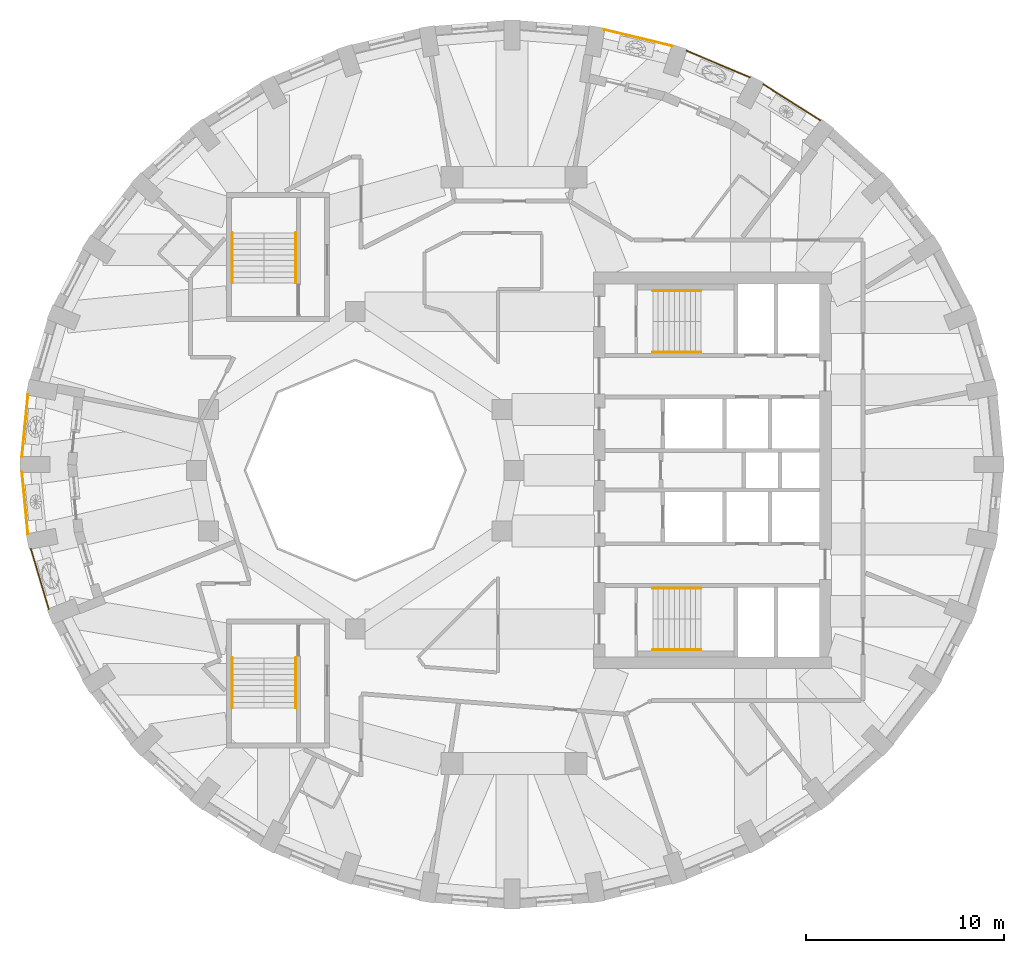
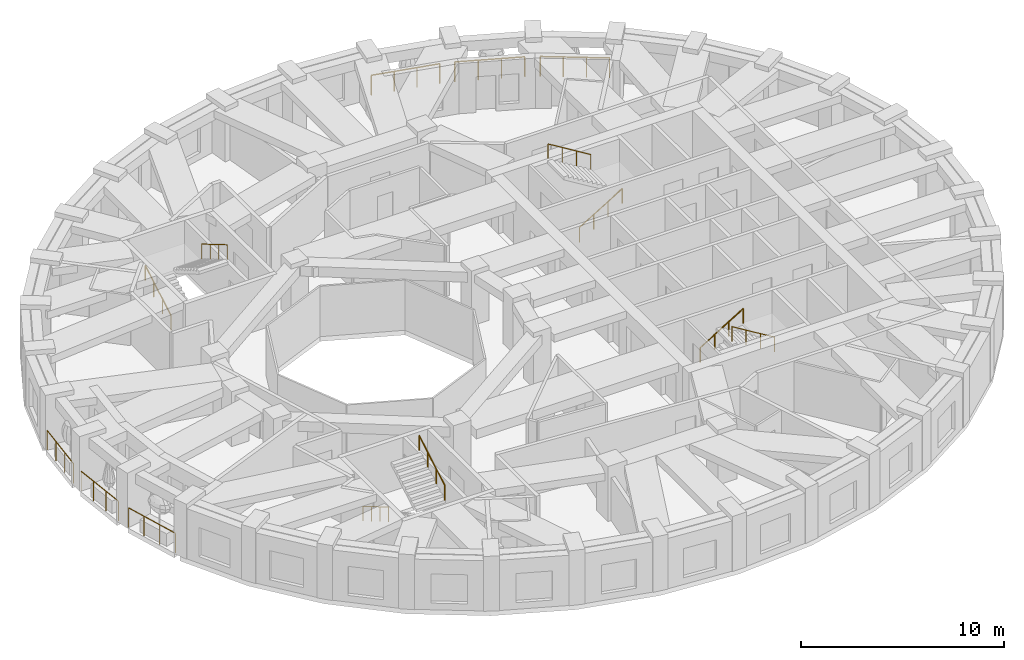
# One storey, part 10 of 12: 14 railings.
"""IFC4 building model written with IfcOpenShell, lengths in metres."""

from ifc_helpers import new_model, si_unit, direction, frame, origin, origin_2d, place, context, subcontext, project, spatial, circle, extrude, material, type_object, element, save


model = new_model("IFC4")

# Units and contexts
model_context = context("Model", 3, precision=1e-05, world=origin(), true_north=direction((0.0, 1.0)))
body_context = subcontext(model_context, "Body", "Model", "MODEL_VIEW")
ifc_project = project(units=[si_unit("LENGTHUNIT", "METRE"), si_unit("AREAUNIT", "SQUARE_METRE"), si_unit("VOLUMEUNIT", "CUBIC_METRE"), si_unit("PLANEANGLEUNIT", "RADIAN"), si_unit("MASSUNIT", "GRAM", prefix="KILO")], contexts=[model_context])

# Site, building, storey
site_placement = place(None, origin())
site = spatial("IfcSite", under=ifc_project, at=site_placement, CompositionType="ELEMENT")
building_placement = place(site_placement, origin())
building = spatial("IfcBuilding", under=site, at=building_placement, Name="Taillehof Tower", CompositionType="ELEMENT")
storey_placement = place(building_placement, frame((0.0, 0.0, 236.60009765625)))
storey = spatial("IfcBuildingStorey", under=building, at=storey_placement, Name="L67", CompositionType="ELEMENT", Elevation=236.60009765625)

# Railings
ifc_material_1 = material(Name="Stainless steel balustrade", Category="steel")
railing_type_1 = type_object("IfcRailingType", Name="Balcony guard 1200", PredefinedType="GUARDRAIL", material=ifc_material_1)
railing_1_placement = place(storey_placement, frame((-24.49853515625, 3.8115234375, 0.0)))
element("IfcRailing", 1, at=railing_1_placement, inside=storey, type_object=railing_type_1, Name="Balcony guard L67 bay 18", PredefinedType="GUARDRAIL", context=body_context, shape_type="SweptSolid", body=[
    extrude(circle(Radius=0.02392578125, at=origin_2d()), frame((0.0, 0.0, 1.17578125), z_axis=(-0.096691234516, -0.995314425279, 0.0), x_axis=(0.995314425279, -0.096691234516, 0.0)), (0.0, 0.0, 1.0), 3.14599609375),
    extrude(circle(Radius=0.02099609375, at=origin_2d()), origin(), (0.0, 0.0, 1.0), 1.15185546875),
    extrude(circle(Radius=0.02099609375, at=origin_2d()), frame((-0.101318359375, -1.043701171875, 0.0)), (0.0, 0.0, 1.0), 1.15185546875),
    extrude(circle(Radius=0.02099609375, at=origin_2d()), frame((-0.202880859375, -2.087646484375, 0.0)), (0.0, 0.0, 1.0), 1.15185546875),
    extrude(circle(Radius=0.02099609375, at=origin_2d()), frame((-0.30419921875, -3.13134765625, 0.0)), (0.0, 0.0, 1.0), 1.15185546875),
])
railing_2_placement = place(storey_placement, frame((-24.802734375, -0.080078125, 0.0)))
element("IfcRailing", 2, at=railing_2_placement, inside=storey, type_object=railing_type_1, Name="Balcony guard L67 bay 19", PredefinedType="GUARDRAIL", context=body_context, shape_type="SweptSolid", body=[
    extrude(circle(Radius=0.02392578125, at=origin_2d()), frame((0.0, 0.0, 1.17578125), z_axis=(0.096683766881, -0.995315150704, 0.0), x_axis=(0.995315150704, 0.096683766881, 0.0)), (0.0, 0.0, 1.0), 3.146240234375),
    extrude(circle(Radius=0.02099609375, at=origin_2d()), origin(), (0.0, 0.0, 1.0), 1.15185546875),
    extrude(circle(Radius=0.02099609375, at=origin_2d()), frame((0.101318359375, -1.0439453125, 0.0)), (0.0, 0.0, 1.0), 1.15185546875),
    extrude(circle(Radius=0.02099609375, at=origin_2d()), frame((0.202880859375, -2.087646484375, 0.0)), (0.0, 0.0, 1.0), 1.15185546875),
    extrude(circle(Radius=0.02099609375, at=origin_2d()), frame((0.30419921875, -3.131591796875, 0.0)), (0.0, 0.0, 1.0), 1.15185546875),
])
railing_3_placement = place(storey_placement, frame((-24.3525390625, -3.95751953125, 0.0)))
element("IfcRailing", 3, at=railing_3_placement, inside=storey, type_object=railing_type_1, Name="Balcony guard L67 bay 20", PredefinedType="GUARDRAIL", context=body_context, shape_type="SweptSolid", body=[
    extrude(circle(Radius=0.02392578125, at=origin_2d()), frame((0.0, 0.0, 1.17578125), z_axis=(0.285199702908, -0.958468116038, 0.0), x_axis=(0.958468116038, 0.285199702908, 0.0)), (0.0, 0.0, 1.0), 3.170654296875),
    extrude(circle(Radius=0.02099609375, at=origin_2d()), origin(), (0.0, 0.0, 1.0), 1.15185546875),
    extrude(circle(Radius=0.02099609375, at=origin_2d()), frame((0.301513671875, -1.012939453125, 0.0)), (0.0, 0.0, 1.0), 1.15185546875),
    extrude(circle(Radius=0.02099609375, at=origin_2d()), frame((0.602783203125, -2.026123046875, 0.0)), (0.0, 0.0, 1.0), 1.15185546875),
    extrude(circle(Radius=0.02099609375, at=origin_2d()), frame((0.904296875, -3.0390625, 0.0)), (0.0, 0.0, 1.0), 1.15185546875),
])
railing_4_placement = place(storey_placement, frame((15.452880859375, 17.637939453125, 0.0)))
element("IfcRailing", 4, at=railing_4_placement, inside=storey, type_object=railing_type_1, Name="Balcony guard L67 bay 6", PredefinedType="GUARDRAIL", context=body_context, shape_type="SweptSolid", body=[
    extrude(circle(Radius=0.02392578125, at=origin_2d()), frame((0.0, 0.0, 1.17578125), z_axis=(-0.845893321372, 0.533352124641, 0.0), x_axis=(-0.533352124641, -0.845893321372, 0.0)), (0.0, 0.0, 1.0), 3.412109375),
    extrude(circle(Radius=0.02099609375, at=origin_2d()), origin(), (0.0, 0.0, 1.0), 1.15185546875),
    extrude(circle(Radius=0.02099609375, at=origin_2d()), frame((-0.962158203125, 0.606689453125, 0.0)), (0.0, 0.0, 1.0), 1.15185546875),
    extrude(circle(Radius=0.02099609375, at=origin_2d()), frame((-1.924072265625, 1.213134765625, 0.0)), (0.0, 0.0, 1.0), 1.15185546875),
    extrude(circle(Radius=0.02099609375, at=origin_2d()), frame((-2.88623046875, 1.81982421875, 0.0)), (0.0, 0.0, 1.0), 1.15185546875),
])
railing_5_placement = place(storey_placement, frame((11.892333984375, 19.80859375, 0.0)))
element("IfcRailing", 5, at=railing_5_placement, inside=storey, type_object=railing_type_1, Name="Balcony guard L67 bay 7", PredefinedType="GUARDRAIL", context=body_context, shape_type="SweptSolid", body=[
    extrude(circle(Radius=0.02392578125, at=origin_2d()), frame((0.0, 0.0, 1.17578125), z_axis=(-0.922020278687, 0.38714158352, 0.0), x_axis=(-0.38714158352, -0.922020278687, 0.0)), (0.0, 0.0, 1.0), 3.47021484375),
    extrude(circle(Radius=0.02099609375, at=origin_2d()), origin(), (0.0, 0.0, 1.0), 1.15185546875),
    extrude(circle(Radius=0.02099609375, at=origin_2d()), frame((-1.066650390625, 0.44775390625, 0.0)), (0.0, 0.0, 1.0), 1.15185546875),
    extrude(circle(Radius=0.02099609375, at=origin_2d()), frame((-2.133056640625, 0.895751953125, 0.0)), (0.0, 0.0, 1.0), 1.15185546875),
    extrude(circle(Radius=0.02099609375, at=origin_2d()), frame((-3.19970703125, 1.343505859375, 0.0)), (0.0, 0.0, 1.0), 1.15185546875),
])
railing_6_placement = place(storey_placement, frame((7.97021484375, 21.38916015625, 0.0)))
element("IfcRailing", 6, at=railing_6_placement, inside=storey, type_object=railing_type_1, Name="Balcony guard L67 bay 8", PredefinedType="GUARDRAIL", context=body_context, shape_type="SweptSolid", body=[
    extrude(circle(Radius=0.02392578125, at=origin_2d()), frame((0.0, 0.0, 1.17578125), z_axis=(-0.972116636457, 0.234497857397, 0.0), x_axis=(-0.234497857397, -0.972116636457, 0.0)), (0.0, 0.0, 1.0), 3.5126953125),
    extrude(circle(Radius=0.02099609375, at=origin_2d()), origin(), (0.0, 0.0, 1.0), 1.15185546875),
    extrude(circle(Radius=0.02099609375, at=origin_2d()), frame((-1.13818359375, 0.274658203125, 0.0)), (0.0, 0.0, 1.0), 1.15185546875),
    extrude(circle(Radius=0.02099609375, at=origin_2d()), frame((-2.276611328125, 0.549072265625, 0.0)), (0.0, 0.0, 1.0), 1.15185546875),
    extrude(circle(Radius=0.02099609375, at=origin_2d()), frame((-3.414794921875, 0.82373046875, 0.0)), (0.0, 0.0, 1.0), 1.15185546875),
])
ifc_material_2 = material(Name="Stainless steel", Category="steel")
railing_type_2 = type_object("IfcRailingType", Name="Stair handrail 900", PredefinedType="HANDRAIL", material=ifc_material_2)
railing_7_placement = place(storey_placement, frame((7.0, 5.949951171875, 0.164794921875)))
element("IfcRailing", 7, at=railing_7_placement, inside=storey, type_object=railing_type_2, Name="Stair S1 handrail", PredefinedType="HANDRAIL", context=body_context, shape_type="SweptSolid", body=[
    extrude(circle(Radius=0.02392578125, at=origin_2d()), frame((0.0, 0.0, 0.8759765625), z_axis=(0.853258522278, 0.0, 0.521488153423), x_axis=(0.0, 1.0, 0.0)), (0.0, 0.0, 1.0), 2.847900390625),
    extrude(circle(Radius=0.02099609375, at=origin_2d()), origin(), (0.0, 0.0, 1.0), 0.851806640625),
    extrude(circle(Radius=0.02099609375, at=origin_2d()), frame((0.81005859375, 0.0, 0.4951171875)), (0.0, 0.0, 1.0), 0.851806640625),
    extrude(circle(Radius=0.02099609375, at=origin_2d()), frame((1.619873046875, 0.0, 0.989990234375)), (0.0, 0.0, 1.0), 0.851806640625),
    extrude(circle(Radius=0.02099609375, at=origin_2d()), frame((2.429931640625, 0.0, 1.485107421875)), (0.0, 0.0, 1.0), 0.851806640625),
])
railing_8_placement = place(storey_placement, frame((9.429931640625, 9.050048828125, 1.81494140625)))
element("IfcRailing", 8, at=railing_8_placement, inside=storey, type_object=railing_type_2, Name="Stair S1 handrail", PredefinedType="HANDRAIL", context=body_context, shape_type="SweptSolid", body=[
    extrude(circle(Radius=0.02392578125, at=origin_2d()), frame((0.0, 0.0, 0.8759765625), z_axis=(-0.853296667938, 0.0, 0.521425734392), x_axis=(0.0, -1.0, 0.0)), (0.0, 0.0, 1.0), 2.84765625),
    extrude(circle(Radius=0.02099609375, at=origin_2d()), origin(), (0.0, 0.0, 1.0), 0.851806640625),
    extrude(circle(Radius=0.02099609375, at=origin_2d()), frame((-0.81005859375, 0.0, 0.494873046875)), (0.0, 0.0, 1.0), 0.851806640625),
    extrude(circle(Radius=0.02099609375, at=origin_2d()), frame((-1.619873046875, 0.0, 0.989990234375)), (0.0, 0.0, 1.0), 0.851806640625),
    extrude(circle(Radius=0.02099609375, at=origin_2d()), frame((-2.429931640625, 0.0, 1.48486328125)), (0.0, 0.0, 1.0), 0.851806640625),
])
railing_9_placement = place(storey_placement, frame((7.0, -5.949951171875, 0.164794921875)))
element("IfcRailing", 9, at=railing_9_placement, inside=storey, type_object=railing_type_2, Name="Stair S2 handrail", PredefinedType="HANDRAIL", context=body_context, shape_type="SweptSolid", body=[
    extrude(circle(Radius=0.02392578125, at=origin_2d()), frame((0.0, 0.0, 0.8759765625), z_axis=(0.853258522278, 0.0, 0.521488153423), x_axis=(0.0, 1.0, 0.0)), (0.0, 0.0, 1.0), 2.847900390625),
    extrude(circle(Radius=0.02099609375, at=origin_2d()), origin(), (0.0, 0.0, 1.0), 0.851806640625),
    extrude(circle(Radius=0.02099609375, at=origin_2d()), frame((0.81005859375, 0.0, 0.4951171875)), (0.0, 0.0, 1.0), 0.851806640625),
    extrude(circle(Radius=0.02099609375, at=origin_2d()), frame((1.619873046875, 0.0, 0.989990234375)), (0.0, 0.0, 1.0), 0.851806640625),
    extrude(circle(Radius=0.02099609375, at=origin_2d()), frame((2.429931640625, 0.0, 1.485107421875)), (0.0, 0.0, 1.0), 0.851806640625),
])
railing_10_placement = place(storey_placement, frame((9.429931640625, -9.050048828125, 1.81494140625)))
element("IfcRailing", 10, at=railing_10_placement, inside=storey, type_object=railing_type_2, Name="Stair S2 handrail", PredefinedType="HANDRAIL", context=body_context, shape_type="SweptSolid", body=[
    extrude(circle(Radius=0.02392578125, at=origin_2d()), frame((0.0, 0.0, 0.8759765625), z_axis=(-0.853296667938, 0.0, 0.521425734392), x_axis=(0.0, -1.0, 0.0)), (0.0, 0.0, 1.0), 2.84765625),
    extrude(circle(Radius=0.02099609375, at=origin_2d()), origin(), (0.0, 0.0, 1.0), 0.851806640625),
    extrude(circle(Radius=0.02099609375, at=origin_2d()), frame((-0.81005859375, 0.0, 0.494873046875)), (0.0, 0.0, 1.0), 0.851806640625),
    extrude(circle(Radius=0.02099609375, at=origin_2d()), frame((-1.619873046875, 0.0, 0.989990234375)), (0.0, 0.0, 1.0), 0.851806640625),
    extrude(circle(Radius=0.02099609375, at=origin_2d()), frame((-2.429931640625, 0.0, 1.48486328125)), (0.0, 0.0, 1.0), 0.851806640625),
])
railing_11_placement = place(storey_placement, frame((-14.199951171875, 9.449951171875, 0.164794921875)))
element("IfcRailing", 11, at=railing_11_placement, inside=storey, type_object=railing_type_2, Name="Stair S3 handrail", PredefinedType="HANDRAIL", context=body_context, shape_type="SweptSolid", body=[
    extrude(circle(Radius=0.02392578125, at=origin_2d()), frame((0.0, 0.0, 0.8759765625), z_axis=(0.0, 0.86152411907, 0.507716645641), x_axis=(-1.0, 0.0, 0.0)), (0.0, 0.0, 1.0), 2.925048828125),
    extrude(circle(Radius=0.02099609375, at=origin_2d()), origin(), (0.0, 0.0, 1.0), 0.851806640625),
    extrude(circle(Radius=0.02099609375, at=origin_2d()), frame((0.0, 0.840087890625, 0.4951171875)), (0.0, 0.0, 1.0), 0.851806640625),
    extrude(circle(Radius=0.02099609375, at=origin_2d()), frame((0.0, 1.679931640625, 0.989990234375)), (0.0, 0.0, 1.0), 0.851806640625),
    extrude(circle(Radius=0.02099609375, at=origin_2d()), frame((0.0, 2.52001953125, 1.485107421875)), (0.0, 0.0, 1.0), 0.851806640625),
])
railing_12_placement = place(storey_placement, frame((-11.0, 11.969970703125, 1.81494140625)))
element("IfcRailing", 12, at=railing_12_placement, inside=storey, type_object=railing_type_2, Name="Stair S3 handrail", PredefinedType="HANDRAIL", context=body_context, shape_type="SweptSolid", body=[
    extrude(circle(Radius=0.02392578125, at=origin_2d()), frame((0.0, 0.0, 0.8759765625), z_axis=(0.0, -0.861560626758, 0.507654692109), x_axis=(1.0, 0.0, 0.0)), (0.0, 0.0, 1.0), 2.925048828125),
    extrude(circle(Radius=0.02099609375, at=origin_2d()), origin(), (0.0, 0.0, 1.0), 0.851806640625),
    extrude(circle(Radius=0.02099609375, at=origin_2d()), frame((0.0, -0.840087890625, 0.494873046875)), (0.0, 0.0, 1.0), 0.851806640625),
    extrude(circle(Radius=0.02099609375, at=origin_2d()), frame((0.0, -1.679931640625, 0.989990234375)), (0.0, 0.0, 1.0), 0.851806640625),
    extrude(circle(Radius=0.02099609375, at=origin_2d()), frame((0.0, -2.52001953125, 1.48486328125)), (0.0, 0.0, 1.0), 0.851806640625),
])
railing_13_placement = place(storey_placement, frame((-14.199951171875, -9.449951171875, 0.164794921875)))
element("IfcRailing", 13, at=railing_13_placement, inside=storey, type_object=railing_type_2, Name="Stair S4 handrail", PredefinedType="HANDRAIL", context=body_context, shape_type="SweptSolid", body=[
    extrude(circle(Radius=0.02392578125, at=origin_2d()), frame((0.0, 0.0, 0.8759765625), z_axis=(0.0, -0.86152411907, 0.507716645641), x_axis=(1.0, 0.0, 0.0)), (0.0, 0.0, 1.0), 2.925048828125),
    extrude(circle(Radius=0.02099609375, at=origin_2d()), origin(), (0.0, 0.0, 1.0), 0.851806640625),
    extrude(circle(Radius=0.02099609375, at=origin_2d()), frame((0.0, -0.840087890625, 0.4951171875)), (0.0, 0.0, 1.0), 0.851806640625),
    extrude(circle(Radius=0.02099609375, at=origin_2d()), frame((0.0, -1.679931640625, 0.989990234375)), (0.0, 0.0, 1.0), 0.851806640625),
    extrude(circle(Radius=0.02099609375, at=origin_2d()), frame((0.0, -2.52001953125, 1.485107421875)), (0.0, 0.0, 1.0), 0.851806640625),
])
railing_14_placement = place(storey_placement, frame((-11.0, -11.969970703125, 1.81494140625)))
element("IfcRailing", 14, at=railing_14_placement, inside=storey, type_object=railing_type_2, Name="Stair S4 handrail", PredefinedType="HANDRAIL", context=body_context, shape_type="SweptSolid", body=[
    extrude(circle(Radius=0.02392578125, at=origin_2d()), frame((0.0, 0.0, 0.8759765625), z_axis=(0.0, 0.861560626758, 0.507654692109), x_axis=(-1.0, 0.0, 0.0)), (0.0, 0.0, 1.0), 2.925048828125),
    extrude(circle(Radius=0.02099609375, at=origin_2d()), origin(), (0.0, 0.0, 1.0), 0.851806640625),
    extrude(circle(Radius=0.02099609375, at=origin_2d()), frame((0.0, 0.840087890625, 0.494873046875)), (0.0, 0.0, 1.0), 0.851806640625),
    extrude(circle(Radius=0.02099609375, at=origin_2d()), frame((0.0, 1.679931640625, 0.989990234375)), (0.0, 0.0, 1.0), 0.851806640625),
    extrude(circle(Radius=0.02099609375, at=origin_2d()), frame((0.0, 2.52001953125, 1.48486328125)), (0.0, 0.0, 1.0), 0.851806640625),
])

save(model, "model.ifc")
